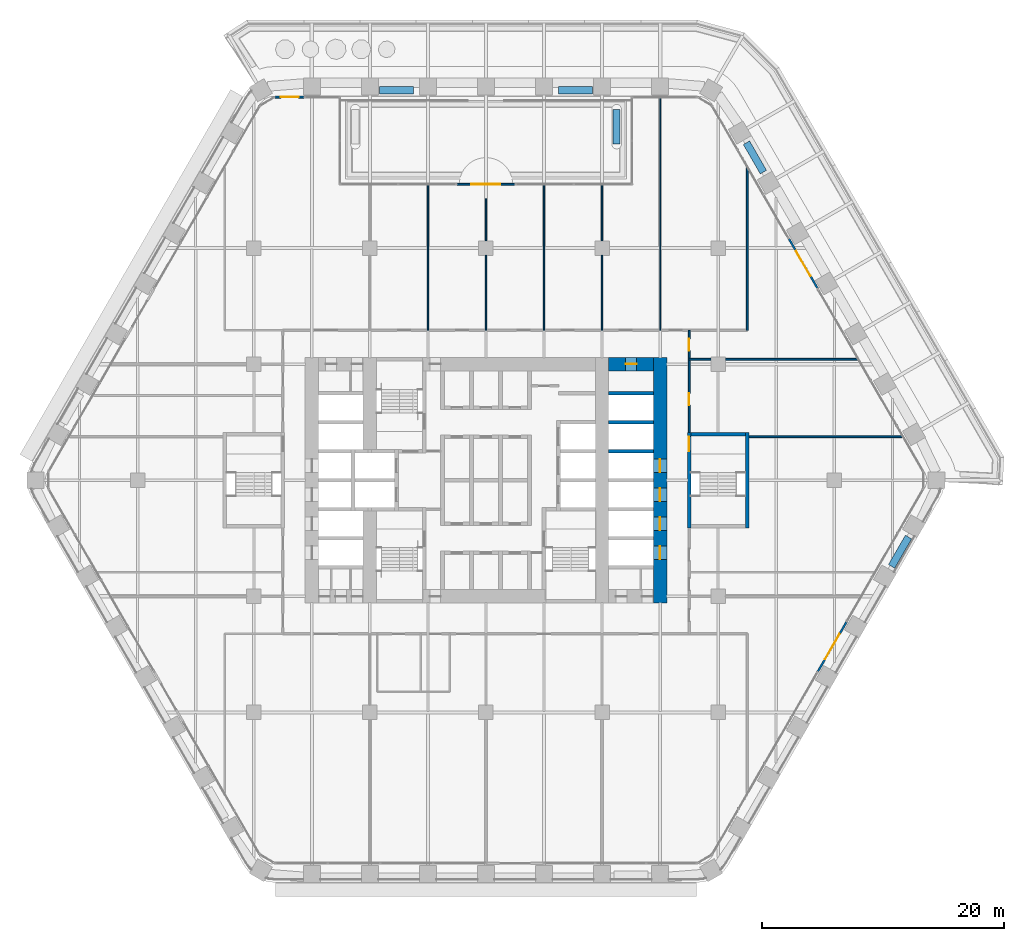
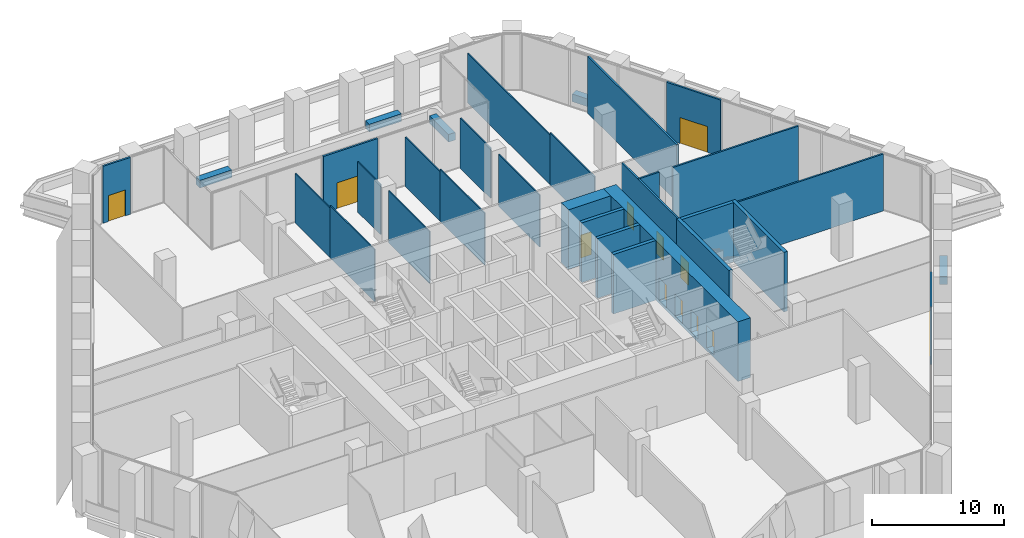
# One storey, part 23 of 30: 32 walls, 12 doors, 12 openings.
"""IFC4 building model written with IfcOpenShell, lengths in metres."""

import ifcopenshell
import ifcopenshell.guid

model = None  # the IFC model being written
_history = None  # IfcOwnerHistory: only IFC2X3 demands one
_inside = {}  # id of a spatial element -> (the spatial element, [elements in it])
_under = {}  # id of a project, library or spatial element -> (it, [spatial elements below it])
_declared = {}  # id of a project -> (the project, [libraries it declares])
_typed = {}  # id of a type object -> (the type object, [elements of that type])
_made_of = {}  # id of a material, layer set ... -> (it, [elements and type objects made of it])


def new_model(schema):
    """Start an empty IFC model of exactly this schema.

    Asked for "IFC4X3", IfcOpenShell would pick the latest addendum, in which some entities
    have other attributes; the version numbers below select the first issue.
    IFC2X3 requires an IfcOwnerHistory on every rooted entity: one is made here for all.
    """
    global model, _history
    if schema == "IFC4X3":
        model = ifcopenshell.file(schema_version=(4, 3, 0, 0))
    else:
        model = ifcopenshell.file(schema=schema)
    _inside.clear()
    _under.clear()
    _declared.clear()
    _typed.clear()
    _made_of.clear()
    _history = None
    if model.schema == "IFC2X3":
        org = make("IfcOrganization", Name="unknown")
        user = make(
            "IfcPersonAndOrganization",
            ThePerson=make("IfcPerson", FamilyName="unknown"),
            TheOrganization=org,
        )
        app = make(
            "IfcApplication",
            ApplicationDeveloper=org,
            Version="unknown",
            ApplicationFullName="unknown",
            ApplicationIdentifier="unknown",
        )
        _history = make(
            "IfcOwnerHistory",
            OwningUser=user,
            OwningApplication=app,
            ChangeAction="ADDED",
            CreationDate=0,
        )
    return model


def make(cls, **values):
    """One entity of the class cls with the attributes given. An attribute that is None is left unset."""
    return model.create_entity(
        cls, **{name: value for name, value in values.items() if value is not None}
    )


def rooted(cls, **values):
    """An entity with a GlobalId (a new one), such as an element, a storey or a relation."""
    return make(cls, GlobalId=ifcopenshell.guid.new(), OwnerHistory=_history, **values)


def si_unit(unit_type, name, prefix=None):
    """IfcSIUnit, for example si_unit("LENGTHUNIT", "METRE", prefix="MILLI")."""
    return make("IfcSIUnit", UnitType=unit_type, Prefix=prefix, Name=name)


def assignment(units):
    """IfcUnitAssignment: the units of a project."""
    return None if units is None else make("IfcUnitAssignment", Units=units)


def point(xyz):
    """IfcCartesianPoint."""
    return None if xyz is None else make("IfcCartesianPoint", Coordinates=xyz)


def direction(xyz):
    """IfcDirection."""
    return None if xyz is None else make("IfcDirection", DirectionRatios=xyz)


def frame(location, z_axis=None, x_axis=None):
    """IfcAxis2Placement3D, a coordinate frame: its origin and axes. An axis left out is left unset."""
    return make(
        "IfcAxis2Placement3D",
        Location=point(location),
        Axis=direction(z_axis),
        RefDirection=direction(x_axis),
    )


def frame_2d(location, x_axis=None):
    """IfcAxis2Placement2D, a coordinate frame in the plane: its origin and x axis."""
    return make(
        "IfcAxis2Placement2D", Location=point(location), RefDirection=direction(x_axis)
    )


def origin():
    """The frame at (0, 0, 0) with its axes left unset."""
    return frame((0.0, 0.0, 0.0))


def place(relative_to, where):
    """IfcLocalPlacement: puts the frame where relative to a parent placement (None: the world)."""
    return make(
        "IfcLocalPlacement", PlacementRelTo=relative_to, RelativePlacement=where
    )


def context(
    kind, dimensions, precision=None, world=None, true_north=None, identifier=None
):
    """IfcGeometricRepresentationContext, for example the 3D "Model" context."""
    return make(
        "IfcGeometricRepresentationContext",
        ContextIdentifier=identifier,
        ContextType=kind,
        CoordinateSpaceDimension=dimensions,
        Precision=precision,
        WorldCoordinateSystem=world,
        TrueNorth=true_north,
    )


def subcontext(parent, identifier, kind, view, scale=None):
    """IfcGeometricRepresentationSubContext, for example "Body" below "Model"."""
    return make(
        "IfcGeometricRepresentationSubContext",
        ContextIdentifier=identifier,
        ContextType=kind,
        ParentContext=parent,
        TargetScale=scale,
        TargetView=view,
    )


def project(units=None, contexts=None):
    """IfcProject with its units and contexts."""
    return rooted(
        "IfcProject",
        Name="project",
        RepresentationContexts=contexts,
        UnitsInContext=assignment(units),
    )


def spatial(cls, under=None, at=None, **own):
    """A site, building, storey or space (cls), placed at a placement, below another one or the project."""
    s = rooted(cls, ObjectPlacement=at, **own)
    if under is not None:
        _under.setdefault(under.id(), (under, []))[1].append(s)
    return s


def profile(cls, at=None, kind="AREA", **sizes):
    """A parametric profile (cls). Its sizes go by their IFC names, for example OverallWidth=200.0."""
    return make(cls, ProfileType=kind, Position=at, **sizes)


def rectangle(**sizes):
    """IfcRectangleProfileDef."""
    return profile("IfcRectangleProfileDef", **sizes)


def extrude(swept, where, along, depth):
    """IfcExtrudedAreaSolid: the profile swept, set in the frame where, extruded along a direction by depth."""
    return make(
        "IfcExtrudedAreaSolid",
        SweptArea=swept,
        Position=where,
        ExtrudedDirection=direction(along),
        Depth=depth,
    )


def shape(context_of_items, identifier, shape_type, items):
    """IfcShapeRepresentation: the items that make up one representation, for example the "Body"."""
    return make(
        "IfcShapeRepresentation",
        ContextOfItems=context_of_items,
        RepresentationIdentifier=identifier,
        RepresentationType=shape_type,
        Items=items,
    )


def material(Name=None, Category=None):
    """IfcMaterial."""
    return make("IfcMaterial", Name=Name, Category=Category)


def layer(
    of_material, thickness, ventilated=None, Name=None, Category=None, Priority=None
):
    """IfcMaterialLayer: one layer of a wall or slab, of a material (None: an air gap)."""
    return make(
        "IfcMaterialLayer",
        Material=of_material,
        LayerThickness=thickness,
        IsVentilated=ventilated,
        Name=Name,
        Category=Category,
        Priority=Priority,
    )


def layer_set(layers, Name=None):
    """IfcMaterialLayerSet."""
    return make("IfcMaterialLayerSet", MaterialLayers=layers, LayerSetName=Name)


def made_of(thing, what):
    """Note that an element or type object is made of a material, layer set ...; save() writes the relation."""
    if what is not None:
        _made_of.setdefault(what.id(), (what, []))[1].append(thing)
    return thing


def type_object(cls, material=None, **own):
    """A type object (cls), such as IfcWallType, which elements share."""
    return made_of(rooted(cls, **own), material)


def element(
    cls,
    number,
    at=None,
    inside=None,
    cuts=None,
    type_object=None,
    material=None,
    context=None,
    identifier="Body",
    shape_type=None,
    held_by="IfcProductDefinitionShape",
    body=None,
    shapes=None,
    **own,
):
    """One element of the class cls, such as IfcWall. Its Tag is "e" and its number.

    at: its placement. inside: the storey or other place that contains it. cuts: it is an
    opening in that element (IfcRelVoidsElement). A single representation is given by context,
    identifier, shape_type and body (its items); several are given by shapes. held_by: the class
    of the entity that holds the representations. save() writes the other relations.
    """
    e = rooted(cls, Tag="e%d" % number, ObjectPlacement=at, **own)
    if body is not None:
        shapes = [shape(context, identifier, shape_type, body)]
    if shapes is not None:
        e.Representation = make(held_by, Representations=shapes)
    if inside is not None:
        _inside.setdefault(inside.id(), (inside, []))[1].append(e)
    if cuts is not None:
        rooted(
            "IfcRelVoidsElement", RelatingBuildingElement=cuts, RelatedOpeningElement=e
        )
    if type_object is not None:
        _typed.setdefault(type_object.id(), (type_object, []))[1].append(e)
    return made_of(e, material)


def fill(opening, filler):
    """IfcRelFillsElement: the door or window that sits in an opening."""
    return rooted(
        "IfcRelFillsElement",
        RelatingOpeningElement=opening,
        RelatedBuildingElement=filler,
    )


def aggregate(whole, parts):
    """IfcRelAggregates: a whole, such as a stair, and the parts it consists of."""
    return rooted("IfcRelAggregates", RelatingObject=whole, RelatedObjects=parts)


def save(model, path):
    """Write the relations noted so far, then the file.

    IfcRelAggregates (storeys below a building ...), IfcRelContainedInSpatialStructure (elements
    in a storey), IfcRelDefinesByType, IfcRelAssociatesMaterial and IfcRelDeclares: one each for
    every whole, place, type object, material and project.
    """
    for whole, parts in _under.values():
        aggregate(whole, parts)
    for where, things in _inside.values():
        rooted(
            "IfcRelContainedInSpatialStructure",
            RelatedElements=things,
            RelatingStructure=where,
        )
    for kind, things in _typed.values():
        rooted("IfcRelDefinesByType", RelatedObjects=things, RelatingType=kind)
    for what, things in _made_of.values():
        rooted("IfcRelAssociatesMaterial", RelatedObjects=things, RelatingMaterial=what)
    for by, libraries in _declared.values():
        rooted("IfcRelDeclares", RelatingContext=by, RelatedDefinitions=libraries)
    model.write(path)


model = new_model("IFC4")

# Units and contexts
model_context = context("Model", 3, precision=1e-05, world=origin(), true_north=direction((0.0, 1.0)))
body_context = subcontext(model_context, "Body", "Model", "MODEL_VIEW")
ifc_project = project(units=[si_unit("LENGTHUNIT", "METRE"), si_unit("AREAUNIT", "SQUARE_METRE"), si_unit("VOLUMEUNIT", "CUBIC_METRE"), si_unit("PLANEANGLEUNIT", "RADIAN"), si_unit("MASSUNIT", "GRAM", prefix="KILO")], contexts=[model_context])

# Site, building, storey
site_placement = place(None, origin())
site = spatial("IfcSite", under=ifc_project, at=site_placement, CompositionType="ELEMENT")
building_placement = place(site_placement, origin())
building = spatial("IfcBuilding", under=site, at=building_placement, Name="Kolab Exchange Tower", CompositionType="ELEMENT")
storey_placement = place(building_placement, frame((0.0, 0.0, 38.89990234375)))
storey = spatial("IfcBuildingStorey", under=building, at=storey_placement, Name="L07", CompositionType="ELEMENT", Elevation=38.89990234375)

# Wall, opening, door
ifc_material_1 = material(Name="Concrete C80/95", Category="concrete")
ifc_layer_1 = layer(ifc_material_1, 1.10009765625)
ifc_layer_set_1 = layer_set([ifc_layer_1], Name="Concrete C80/95")
wall_type_1 = type_object("IfcWallType", Name="CORE WALL 1100 C80/95", PredefinedType="SHEAR", material=ifc_layer_set_1)
wall_1_placement = place(storey_placement, frame((10.14990234375, 9.60009765625, -0.25), z_axis=(0.0, 0.0, 1.0), x_axis=(1.0, 0.0, 0.0)))
wall_1 = element("IfcWall", 1, at=wall_1_placement, inside=storey, type_object=wall_type_1, Name="wall/L07/core/053", PredefinedType="SHEAR", context=body_context, shape_type="SweptSolid", body=[
    extrude(rectangle(XDim=3.7001953125, YDim=1.10009765625, at=frame_2d((1.85009765625, 0.0))), origin(), (0.0, 0.0, 1.0), 5.5),
])
opening_1_placement = place(wall_1_placement, frame((1.39990234375, 0.0, 0.25)))
opening_1 = element("IfcOpeningElement", 2, at=opening_1_placement, cuts=wall_1, Name="Opening D6-114", PredefinedType="OPENING", context=body_context, shape_type="SweptSolid", body=[
    extrude(rectangle(XDim=0.89990234375, YDim=2.10009765625, at=frame_2d((0.449951171875, 1.050048828125))), frame((0.0, 0.56005859375, 0.0), z_axis=(0.0, -1.0, 0.0), x_axis=(1.0, 0.0, 0.0)), (0.0, 0.0, 1.0), 1.1201171875),
])
ifc_material_2 = material(Name="Steel S235", Category="steel")
door_type_1 = type_object("IfcDoorType", Name="CORE DOOR 900 EI 120", OperationType="SINGLE_SWING_LEFT", PredefinedType="DOOR", material=ifc_material_2)
door_1_placement = place(opening_1_placement, frame((0.89990234375, 0.0, 0.0), z_axis=(0.0, 0.0, 1.0), x_axis=(-1.0, 0.0, 0.0)))
door_1 = element("IfcDoor", 3, at=door_1_placement, inside=storey, type_object=door_type_1, Name="Service room door", OperationType="SINGLE_SWING_LEFT", OverallHeight=2.10009765625, OverallWidth=0.89990234375, PredefinedType="DOOR", context=body_context, shape_type="SweptSolid", body=[
    extrude(rectangle(XDim=0.89990234375, YDim=2.10009765625, at=frame_2d((0.449951171875, 1.050048828125))), frame((0.0, 0.02490234375, 0.0), z_axis=(0.0, -1.0, 0.0), x_axis=(1.0, 0.0, 0.0)), (0.0, 0.0, 1.0), 0.050048828125),
])
fill(opening_1, door_1)

# Wall, openings, doors
wall_2_placement = place(storey_placement, frame((14.39990234375, -10.14990234375, -0.25), z_axis=(0.0, 0.0, 1.0), x_axis=(0.0, 1.0, 0.0)))
wall_2 = element("IfcWall", 4, at=wall_2_placement, inside=storey, type_object=wall_type_1, Name="wall/L07/core/081", PredefinedType="SHEAR", context=body_context, shape_type="SweptSolid", body=[
    extrude(rectangle(XDim=20.2998046875, YDim=1.10009765625, at=frame_2d((10.14990234375, 0.0))), origin(), (0.0, 0.0, 1.0), 5.5),
])
opening_2_placement = place(wall_2_placement, frame((3.60009765625, 0.0, 0.25)))
opening_2 = element("IfcOpeningElement", 5, at=opening_2_placement, cuts=wall_2, Name="Opening LD1-037", PredefinedType="OPENING", context=body_context, shape_type="SweptSolid", body=[
    extrude(rectangle(XDim=1.10009765625, YDim=2.10009765625, at=frame_2d((0.550048828125, 1.050048828125))), frame((0.0, 0.56005859375, 0.0), z_axis=(0.0, -1.0, 0.0), x_axis=(1.0, 0.0, 0.0)), (0.0, 0.0, 1.0), 1.1201171875),
])
opening_3_placement = place(wall_2_placement, frame((6.0, 0.0, 0.25)))
opening_3 = element("IfcOpeningElement", 6, at=opening_3_placement, cuts=wall_2, Name="Opening LD1-038", PredefinedType="OPENING", context=body_context, shape_type="SweptSolid", body=[
    extrude(rectangle(XDim=1.10009765625, YDim=2.10009765625, at=frame_2d((0.550048828125, 1.050048828125))), frame((0.0, 0.56005859375, 0.0), z_axis=(0.0, -1.0, 0.0), x_axis=(1.0, 0.0, 0.0)), (0.0, 0.0, 1.0), 1.1201171875),
])
opening_4_placement = place(wall_2_placement, frame((8.39990234375, 0.0, 0.25)))
opening_4 = element("IfcOpeningElement", 7, at=opening_4_placement, cuts=wall_2, Name="Opening LD1-039", PredefinedType="OPENING", context=body_context, shape_type="SweptSolid", body=[
    extrude(rectangle(XDim=1.10009765625, YDim=2.10009765625, at=frame_2d((0.550048828125, 1.050048828125))), frame((0.0, 0.56005859375, 0.0), z_axis=(0.0, -1.0, 0.0), x_axis=(1.0, 0.0, 0.0)), (0.0, 0.0, 1.0), 1.1201171875),
])
opening_5_placement = place(wall_2_placement, frame((10.800048828125, 0.0, 0.25)))
opening_5 = element("IfcOpeningElement", 8, at=opening_5_placement, cuts=wall_2, Name="Opening LD1-040", PredefinedType="OPENING", context=body_context, shape_type="SweptSolid", body=[
    extrude(rectangle(XDim=1.10009765625, YDim=2.10009765625, at=frame_2d((0.550048828125, 1.050048828125))), frame((0.0, 0.56005859375, 0.0), z_axis=(0.0, -1.0, 0.0), x_axis=(1.0, 0.0, 0.0)), (0.0, 0.0, 1.0), 1.1201171875),
])
ifc_material_3 = material(Name="Stainless steel 316", Category="steel")
door_type_2 = type_object("IfcDoorType", Name="LANDING DOOR 1100 PASSENGER", OperationType="DOUBLE_DOOR_SLIDING", PredefinedType="DOOR", material=ifc_material_3)
door_2_placement = place(opening_2_placement, origin())
door_2 = element("IfcDoor", 9, at=door_2_placement, inside=storey, type_object=door_type_2, Name="Landing door LR1", OperationType="DOUBLE_DOOR_SLIDING", OverallHeight=2.10009765625, OverallWidth=1.10009765625, PredefinedType="DOOR", context=body_context, shape_type="SweptSolid", body=[
    extrude(rectangle(XDim=1.10009765625, YDim=2.10009765625, at=frame_2d((0.550048828125, 1.050048828125))), frame((0.0, 0.02490234375, 0.0), z_axis=(0.0, -1.0, 0.0), x_axis=(1.0, 0.0, 0.0)), (0.0, 0.0, 1.0), 0.050048828125),
])
fill(opening_2, door_2)
door_3_placement = place(opening_3_placement, origin())
door_3 = element("IfcDoor", 10, at=door_3_placement, inside=storey, type_object=door_type_2, Name="Landing door LR2", OperationType="DOUBLE_DOOR_SLIDING", OverallHeight=2.10009765625, OverallWidth=1.10009765625, PredefinedType="DOOR", context=body_context, shape_type="SweptSolid", body=[
    extrude(rectangle(XDim=1.10009765625, YDim=2.10009765625, at=frame_2d((0.550048828125, 1.050048828125))), frame((0.0, 0.02490234375, 0.0), z_axis=(0.0, -1.0, 0.0), x_axis=(1.0, 0.0, 0.0)), (0.0, 0.0, 1.0), 0.050048828125),
])
fill(opening_3, door_3)
door_4_placement = place(opening_4_placement, origin())
door_4 = element("IfcDoor", 11, at=door_4_placement, inside=storey, type_object=door_type_2, Name="Landing door LR3", OperationType="DOUBLE_DOOR_SLIDING", OverallHeight=2.10009765625, OverallWidth=1.10009765625, PredefinedType="DOOR", context=body_context, shape_type="SweptSolid", body=[
    extrude(rectangle(XDim=1.10009765625, YDim=2.10009765625, at=frame_2d((0.550048828125, 1.050048828125))), frame((0.0, 0.02490234375, 0.0), z_axis=(0.0, -1.0, 0.0), x_axis=(1.0, 0.0, 0.0)), (0.0, 0.0, 1.0), 0.050048828125),
])
fill(opening_4, door_4)
door_5_placement = place(opening_5_placement, origin())
door_5 = element("IfcDoor", 12, at=door_5_placement, inside=storey, type_object=door_type_2, Name="Landing door LR4", OperationType="DOUBLE_DOOR_SLIDING", OverallHeight=2.10009765625, OverallWidth=1.10009765625, PredefinedType="DOOR", context=body_context, shape_type="SweptSolid", body=[
    extrude(rectangle(XDim=1.10009765625, YDim=2.10009765625, at=frame_2d((0.550048828125, 1.050048828125))), frame((0.0, 0.02490234375, 0.0), z_axis=(0.0, -1.0, 0.0), x_axis=(1.0, 0.0, 0.0)), (0.0, 0.0, 1.0), 0.050048828125),
])
fill(opening_5, door_5)

# Wall, opening, door
ifc_material_4 = material(Name="Aluminium EN AW-6063 T6", Category="aluminium")
ifc_layer_2 = layer(ifc_material_4, 0.159912109375)
ifc_layer_set_2 = layer_set([ifc_layer_2], Name="Aluminium EN AW-6063 T6")
wall_type_2 = type_object("IfcWallType", Name="DOOR SURROUND WALL 160 ALUMINIUM FRAMED", PredefinedType="PARTITIONING", material=ifc_layer_set_2)
wall_3_placement = place(storey_placement, frame((-17.43798828125, 31.67529296875, 0.0), z_axis=(0.0, 0.0, 1.0), x_axis=(1.0, 0.0, 0.0)))
wall_3 = element("IfcWall", 13, at=wall_3_placement, inside=storey, type_object=wall_type_2, Name="Door surround wall", PredefinedType="PARTITIONING", context=body_context, shape_type="SweptSolid", body=[
    extrude(rectangle(XDim=2.400146484375, YDim=0.159912109375, at=frame_2d((1.2001953125, 0.0))), origin(), (0.0, 0.0, 1.0), 5.25),
])
opening_6_placement = place(wall_3_placement, frame((0.449951171875, 0.0, 0.0)))
opening_6 = element("IfcOpeningElement", 14, at=opening_6_placement, cuts=wall_3, Name="Opening GD2-001", PredefinedType="OPENING", context=body_context, shape_type="SweptSolid", body=[
    extrude(rectangle(XDim=1.5, YDim=2.39990234375, at=frame_2d((0.75, 1.199951171875))), frame((0.0, 0.08984375, 0.0), z_axis=(0.0, -1.0, 0.0), x_axis=(1.0, 0.0, 0.0)), (0.0, 0.0, 1.0), 0.179931640625),
])
door_type_3 = type_object("IfcDoorType", Name="LOGGIA SLIDING GLASS DOOR 1500 X 2400", OperationType="SLIDING_TO_LEFT", PredefinedType="DOOR", material=ifc_material_4)
door_6_placement = place(opening_6_placement, origin())
door_6 = element("IfcDoor", 15, at=door_6_placement, inside=storey, type_object=door_type_3, Name="Loggia door", OperationType="DOUBLE_DOOR_SLIDING", OverallHeight=2.39990234375, OverallWidth=1.5, PredefinedType="DOOR", context=body_context, shape_type="SweptSolid", body=[
    extrude(rectangle(XDim=1.5, YDim=2.39990234375, at=frame_2d((0.75, 1.199951171875))), frame((0.0, 0.02490234375, 0.0), z_axis=(0.0, -1.0, 0.0), x_axis=(1.0, 0.0, 0.0)), (0.0, 0.0, 1.0), 0.050048828125),
])
fill(opening_6, door_6)

wall_4_placement = place(storey_placement, frame((-2.385986328125, 24.475341796875, 0.0), z_axis=(0.0, 0.0, 1.0), x_axis=(1.0, 0.0, 0.0)))
wall_4 = element("IfcWall", 16, at=wall_4_placement, inside=storey, type_object=wall_type_2, Name="Door surround wall", PredefinedType="PARTITIONING", context=body_context, shape_type="SweptSolid", body=[
    extrude(rectangle(XDim=4.77197265625, YDim=0.159912109375, at=frame_2d((2.385986328125, 0.0))), origin(), (0.0, 0.0, 1.0), 5.25),
])
opening_7_placement = place(wall_4_placement, frame((1.18603515625, 0.0, 0.0)))
opening_7 = element("IfcOpeningElement", 17, at=opening_7_placement, cuts=wall_4, Name="Opening GD1-029", PredefinedType="OPENING", context=body_context, shape_type="SweptSolid", body=[
    extrude(rectangle(XDim=2.39990234375, YDim=2.39990234375, at=frame_2d((1.199951171875, 1.199951171875))), frame((0.0, 0.08984375, 0.0), z_axis=(0.0, -1.0, 0.0), x_axis=(1.0, 0.0, 0.0)), (0.0, 0.0, 1.0), 0.179931640625),
])
door_type_4 = type_object("IfcDoorType", Name="LOGGIA SLIDING GLASS DOOR 2400 X 2400", OperationType="DOUBLE_DOOR_SINGLE_SWING", PredefinedType="DOOR", material=ifc_material_4)
door_7_placement = place(opening_7_placement, origin())
door_7 = element("IfcDoor", 18, at=door_7_placement, inside=storey, type_object=door_type_4, Name="Loggia door", OperationType="DOUBLE_DOOR_SLIDING", OverallHeight=2.39990234375, OverallWidth=2.39990234375, PredefinedType="DOOR", context=body_context, shape_type="SweptSolid", body=[
    extrude(rectangle(XDim=2.39990234375, YDim=2.39990234375, at=frame_2d((1.199951171875, 1.199951171875))), frame((0.0, 0.02490234375, 0.0), z_axis=(0.0, -1.0, 0.0), x_axis=(1.0, 0.0, 0.0)), (0.0, 0.0, 1.0), 0.050048828125),
])
fill(opening_7, door_7)

wall_5_placement = place(storey_placement, frame((25.046630859375, 19.96875, 0.0), z_axis=(0.0, 0.0, 1.0), x_axis=(0.5000167099, -0.866015756104, 0.0)))
wall_5 = element("IfcWall", 19, at=wall_5_placement, inside=storey, type_object=wall_type_2, Name="Door surround wall", PredefinedType="PARTITIONING", context=body_context, shape_type="SweptSolid", body=[
    extrude(rectangle(XDim=4.739990234375, YDim=0.159912109375, at=frame_2d((2.3701171875, 0.0))), origin(), (0.0, 0.0, 1.0), 5.25),
])
opening_8_placement = place(wall_5_placement, frame((1.169921875, 0.0, 0.0)))
opening_8 = element("IfcOpeningElement", 20, at=opening_8_placement, cuts=wall_5, Name="Opening GD1-018", PredefinedType="OPENING", context=body_context, shape_type="SweptSolid", body=[
    extrude(rectangle(XDim=2.39990234375, YDim=2.39990234375, at=frame_2d((1.199951171875, 1.199951171875))), frame((0.0, 0.08984375, 0.0), z_axis=(0.0, -1.0, 0.0), x_axis=(1.0, 0.0, 0.0)), (0.0, 0.0, 1.0), 0.179931640625),
])
door_8_placement = place(opening_8_placement, origin())
door_8 = element("IfcDoor", 21, at=door_8_placement, inside=storey, type_object=door_type_4, Name="Loggia door", OperationType="DOUBLE_DOOR_SLIDING", OverallHeight=2.39990234375, OverallWidth=2.39990234375, PredefinedType="DOOR", context=body_context, shape_type="SweptSolid", body=[
    extrude(rectangle(XDim=2.39990234375, YDim=2.39990234375, at=frame_2d((1.199951171875, 1.199951171875))), frame((0.0, 0.02490234375, 0.0), z_axis=(0.0, -1.0, 0.0), x_axis=(1.0, 0.0, 0.0)), (0.0, 0.0, 1.0), 0.050048828125),
])
fill(opening_8, door_8)

wall_6_placement = place(storey_placement, frame((29.816650390625, -11.706787109375, 0.0), z_axis=(0.0, 0.0, 1.0), x_axis=(-0.499978080042, -0.866038058908, 0.0)))
wall_6 = element("IfcWall", 22, at=wall_6_placement, inside=storey, type_object=wall_type_2, Name="Door surround wall", PredefinedType="PARTITIONING", context=body_context, shape_type="SweptSolid", body=[
    extrude(rectangle(XDim=4.739990234375, YDim=0.159912109375, at=frame_2d((2.3701171875, 0.0))), origin(), (0.0, 0.0, 1.0), 5.25),
])
opening_9_placement = place(wall_6_placement, frame((1.169921875, 0.0, 0.0)))
opening_9 = element("IfcOpeningElement", 23, at=opening_9_placement, cuts=wall_6, Name="Opening GD1-019", PredefinedType="OPENING", context=body_context, shape_type="SweptSolid", body=[
    extrude(rectangle(XDim=2.39990234375, YDim=2.39990234375, at=frame_2d((1.199951171875, 1.199951171875))), frame((0.0, 0.08984375, 0.0), z_axis=(0.0, -1.0, 0.0), x_axis=(1.0, 0.0, 0.0)), (0.0, 0.0, 1.0), 0.179931640625),
])
door_9_placement = place(opening_9_placement, origin())
door_9 = element("IfcDoor", 24, at=door_9_placement, inside=storey, type_object=door_type_4, Name="Loggia door", OperationType="DOUBLE_DOOR_SLIDING", OverallHeight=2.39990234375, OverallWidth=2.39990234375, PredefinedType="DOOR", context=body_context, shape_type="SweptSolid", body=[
    extrude(rectangle(XDim=2.39990234375, YDim=2.39990234375, at=frame_2d((1.199951171875, 1.199951171875))), frame((0.0, 0.02490234375, 0.0), z_axis=(0.0, -1.0, 0.0), x_axis=(1.0, 0.0, 0.0)), (0.0, 0.0, 1.0), 0.050048828125),
])
fill(opening_9, door_9)

# Walls
ifc_material_5 = material(Name="Concrete C50/60", Category="concrete")
ifc_layer_3 = layer(ifc_material_5, 0.300048828125)
ifc_layer_set_3 = layer_set([ifc_layer_3], Name="Concrete C50/60")
wall_type_3 = type_object("IfcWallType", Name="LIFT SHAFT WALL 300 C50/60", PredefinedType="STANDARD", material=ifc_layer_set_3)
for number, where, z_axis, x_axis, name in (
    (25, (10.14990234375, 2.39990234375, -0.25), (0.0, 0.0, 1.0), (1.0, 0.0, 0.0), "wall/L07/core/036"),
    (26, (10.14990234375, 4.800048828125, -0.25), (0.0, 0.0, 1.0), (1.0, 0.0, 0.0), "wall/L07/core/044"),
    (27, (10.14990234375, 7.199951171875, -0.25), (0.0, 0.0, 1.0), (1.0, 0.0, 0.0), "wall/L07/core/050"),
):
    element("IfcWall", number, at=place(storey_placement, frame(where, z_axis=z_axis, x_axis=x_axis)), inside=storey, type_object=wall_type_3, Name=name, PredefinedType="STANDARD", context=body_context, shape_type="SweptSolid", body=[
        extrude(rectangle(XDim=3.7001953125, YDim=0.300048828125, at=frame_2d((1.85009765625, 0.0))), origin(), (0.0, 0.0, 1.0), 5.5),
    ])
ifc_material_6 = material(Name="Gypsum board", Category="gypsum")
ifc_layer_4 = layer(ifc_material_6, 0.10009765625)
ifc_layer_set_4 = layer_set([ifc_layer_4], Name="Gypsum board")
wall_type_4 = type_object("IfcWallType", Name="PARTITION 100", PredefinedType="PARTITIONING", material=ifc_layer_set_4)
wall_7_placement = place(storey_placement, frame((14.39990234375, 19.113037109375, 0.0), z_axis=(0.0, 0.0, 1.0), x_axis=(0.0, 1.0, 0.0)))
element("IfcWall", 28, at=wall_7_placement, inside=storey, type_object=wall_type_4, Name="Partition 004", PredefinedType="PARTITIONING", context=body_context, shape_type="SweptSolid", body=[
    extrude(rectangle(XDim=12.472412109375, YDim=0.10009765625, at=frame_2d((6.236328125, 0.0))), origin(), (0.0, 0.0, 1.0), 4.566162109375),
])
wall_8_placement = place(storey_placement, frame((14.39990234375, 12.39990234375, 0.0), z_axis=(0.0, 0.0, 1.0), x_axis=(0.0, 1.0, 0.0)))
element("IfcWall", 29, at=wall_8_placement, inside=storey, type_object=wall_type_4, Name="Partition 004", PredefinedType="PARTITIONING", context=body_context, shape_type="SweptSolid", body=[
    extrude(rectangle(XDim=6.713134765625, YDim=0.10009765625, at=frame_2d((3.3564453125, 0.0))), origin(), (0.0, 0.0, 1.0), 4.793212890625),
])
wall_9_placement = place(storey_placement, frame((9.60009765625, 12.39990234375, 0.0), z_axis=(0.0, 0.0, 1.0), x_axis=(0.0, 1.0, 0.0)))
element("IfcWall", 30, at=wall_9_placement, inside=storey, type_object=wall_type_4, Name="Partition 006", PredefinedType="PARTITIONING", context=body_context, shape_type="SweptSolid", body=[
    extrude(rectangle(XDim=6.2001953125, YDim=0.10009765625, at=frame_2d((3.10009765625, 0.0))), origin(), (0.0, 0.0, 1.0), 4.793212890625),
])
wall_10_placement = place(storey_placement, frame((9.60009765625, 19.800048828125, 0.0), z_axis=(0.0, 0.0, 1.0), x_axis=(0.0, 1.0, 0.0)))
element("IfcWall", 31, at=wall_10_placement, inside=storey, type_object=wall_type_4, Name="Partition 007", PredefinedType="PARTITIONING", context=body_context, shape_type="SweptSolid", body=[
    extrude(rectangle(XDim=4.58544921875, YDim=0.10009765625, at=frame_2d((2.292724609375, 0.0))), origin(), (0.0, 0.0, 1.0), 4.64208984375),
])
wall_11_placement = place(storey_placement, frame((4.800048828125, 12.39990234375, 0.0), z_axis=(0.0, 0.0, 1.0), x_axis=(0.0, 1.0, 0.0)))
element("IfcWall", 32, at=wall_11_placement, inside=storey, type_object=wall_type_4, Name="Partition 010", PredefinedType="PARTITIONING", context=body_context, shape_type="SweptSolid", body=[
    extrude(rectangle(XDim=6.713134765625, YDim=0.10009765625, at=frame_2d((3.3564453125, 0.0))), origin(), (0.0, 0.0, 1.0), 4.793212890625),
])
wall_12_placement = place(storey_placement, frame((4.800048828125, 19.113037109375, 0.0), z_axis=(0.0, 0.0, 1.0), x_axis=(0.0, 1.0, 0.0)))
element("IfcWall", 33, at=wall_12_placement, inside=storey, type_object=wall_type_4, Name="Partition 010", PredefinedType="PARTITIONING", context=body_context, shape_type="SweptSolid", body=[
    extrude(rectangle(XDim=5.2724609375, YDim=0.10009765625, at=frame_2d((2.63623046875, 0.0))), origin(), (0.0, 0.0, 1.0), 4.566162109375),
])
wall_13_placement = place(storey_placement, frame((0.0, 12.39990234375, 0.0), z_axis=(0.0, 0.0, 1.0), x_axis=(0.0, 1.0, 0.0)))
element("IfcWall", 34, at=wall_13_placement, inside=storey, type_object=wall_type_4, Name="Partition 011", PredefinedType="PARTITIONING", context=body_context, shape_type="SweptSolid", body=[
    extrude(rectangle(XDim=6.2001953125, YDim=0.10009765625, at=frame_2d((3.10009765625, 0.0))), origin(), (0.0, 0.0, 1.0), 4.793212890625),
])
wall_14_placement = place(storey_placement, frame((0.0, 19.800048828125, 0.0), z_axis=(0.0, 0.0, 1.0), x_axis=(0.0, 1.0, 0.0)))
element("IfcWall", 35, at=wall_14_placement, inside=storey, type_object=wall_type_4, Name="Partition 012", PredefinedType="PARTITIONING", context=body_context, shape_type="SweptSolid", body=[
    extrude(rectangle(XDim=3.475341796875, YDim=0.10009765625, at=frame_2d((1.73779296875, 0.0))), origin(), (0.0, 0.0, 1.0), 4.64208984375),
])
wall_15_placement = place(storey_placement, frame((-4.800048828125, 12.39990234375, 0.0), z_axis=(0.0, 0.0, 1.0), x_axis=(0.0, 1.0, 0.0)))
element("IfcWall", 36, at=wall_15_placement, inside=storey, type_object=wall_type_4, Name="Partition 016", PredefinedType="PARTITIONING", context=body_context, shape_type="SweptSolid", body=[
    extrude(rectangle(XDim=6.713134765625, YDim=0.10009765625, at=frame_2d((3.3564453125, 0.0))), origin(), (0.0, 0.0, 1.0), 4.793212890625),
])
wall_16_placement = place(storey_placement, frame((-4.800048828125, 19.113037109375, 0.0), z_axis=(0.0, 0.0, 1.0), x_axis=(0.0, 1.0, 0.0)))
element("IfcWall", 37, at=wall_16_placement, inside=storey, type_object=wall_type_4, Name="Partition 016", PredefinedType="PARTITIONING", context=body_context, shape_type="SweptSolid", body=[
    extrude(rectangle(XDim=5.2724609375, YDim=0.10009765625, at=frame_2d((2.63623046875, 0.0))), origin(), (0.0, 0.0, 1.0), 4.566162109375),
])
ifc_layer_5 = layer(ifc_material_6, 0.14990234375)
ifc_layer_set_5 = layer_set([ifc_layer_5], Name="Gypsum board")
wall_type_5 = type_object("IfcWallType", Name="PARTITION 150 FIRE-RATED", PredefinedType="PARTITIONING", material=ifc_layer_set_5)
wall_17_placement = place(storey_placement, frame((21.60009765625, 12.39990234375, 0.0), z_axis=(0.0, 0.0, 1.0), x_axis=(0.0, 1.0, 0.0)))
element("IfcWall", 38, at=wall_17_placement, inside=storey, type_object=wall_type_5, Name="Partition 001", PredefinedType="PARTITIONING", context=body_context, shape_type="SweptSolid", body=[
    extrude(rectangle(XDim=13.45849609375, YDim=0.14990234375, at=frame_2d((6.729248046875, 0.0))), origin(), (0.0, 0.0, 1.0), 5.25),
])

# Wall, openings, doors
wall_18_placement = place(storey_placement, frame((16.800048828125, 3.949951171875, 0.0), z_axis=(0.0, 0.0, 1.0), x_axis=(0.0, 1.0, 0.0)))
wall_18 = element("IfcWall", 39, at=wall_18_placement, inside=storey, type_object=wall_type_5, Name="Partition 003", PredefinedType="PARTITIONING", context=body_context, shape_type="SweptSolid", body=[
    extrude(rectangle(XDim=8.449951171875, YDim=0.14990234375, at=frame_2d((4.22509765625, 0.0))), origin(), (0.0, 0.0, 1.0), 5.25),
])
opening_10_placement = place(wall_18_placement, frame((2.25, 0.0, 0.0)))
opening_10 = element("IfcOpeningElement", 40, at=opening_10_placement, cuts=wall_18, Name="Opening D1-101", PredefinedType="OPENING", context=body_context, shape_type="SweptSolid", body=[
    extrude(rectangle(XDim=1.0, YDim=2.10009765625, at=frame_2d((0.5, 1.050048828125))), frame((0.0, 0.0849609375, 0.0), z_axis=(0.0, -1.0, 0.0), x_axis=(1.0, 0.0, 0.0)), (0.0, 0.0, 1.0), 0.169921875),
])
opening_11_placement = place(wall_18_placement, frame((6.75, 0.0, 0.0)))
opening_11 = element("IfcOpeningElement", 41, at=opening_11_placement, cuts=wall_18, Name="Opening D1-102", PredefinedType="OPENING", context=body_context, shape_type="SweptSolid", body=[
    extrude(rectangle(XDim=1.0, YDim=2.10009765625, at=frame_2d((0.5, 1.050048828125))), frame((0.0, 0.0849609375, 0.0), z_axis=(0.0, -1.0, 0.0), x_axis=(1.0, 0.0, 0.0)), (0.0, 0.0, 1.0), 0.169921875),
])
door_type_5 = type_object("IfcDoorType", Name="FLUSH DOOR 1000 FD60", OperationType="SINGLE_SWING_LEFT", PredefinedType="DOOR", material=ifc_material_2)
door_10_placement = place(opening_10_placement, frame((1.0, 0.0, 0.0), z_axis=(0.0, 0.0, 1.0), x_axis=(-1.0, 0.0, 0.0)))
door_10 = element("IfcDoor", 42, at=door_10_placement, inside=storey, type_object=door_type_5, Name="Door L07-063", OperationType="SINGLE_SWING_LEFT", OverallHeight=2.10009765625, OverallWidth=1.0, PredefinedType="DOOR", context=body_context, shape_type="SweptSolid", body=[
    extrude(rectangle(XDim=1.0, YDim=2.10009765625, at=frame_2d((0.5, 1.050048828125))), frame((0.0, 0.02490234375, 0.0), z_axis=(0.0, -1.0, 0.0), x_axis=(1.0, 0.0, 0.0)), (0.0, 0.0, 1.0), 0.050048828125),
])
fill(opening_10, door_10)
door_11_placement = place(opening_11_placement, frame((1.0, 0.0, 0.0), z_axis=(0.0, 0.0, 1.0), x_axis=(-1.0, 0.0, 0.0)))
door_11 = element("IfcDoor", 43, at=door_11_placement, inside=storey, type_object=door_type_5, Name="Door L07-064", OperationType="SINGLE_SWING_LEFT", OverallHeight=2.10009765625, OverallWidth=1.0, PredefinedType="DOOR", context=body_context, shape_type="SweptSolid", body=[
    extrude(rectangle(XDim=1.0, YDim=2.10009765625, at=frame_2d((0.5, 1.050048828125))), frame((0.0, 0.02490234375, 0.0), z_axis=(0.0, -1.0, 0.0), x_axis=(1.0, 0.0, 0.0)), (0.0, 0.0, 1.0), 0.050048828125),
])
fill(opening_11, door_11)

# Walls
wall_19_placement = place(storey_placement, frame((21.75, 3.60009765625, 0.0), z_axis=(0.0, 0.0, 1.0), x_axis=(1.0, 0.0, 0.0)))
element("IfcWall", 44, at=wall_19_placement, inside=storey, type_object=wall_type_5, Name="Partition 041", PredefinedType="PARTITIONING", context=body_context, shape_type="SweptSolid", body=[
    extrude(rectangle(XDim=12.700927734375, YDim=0.14990234375, at=frame_2d((6.3505859375, 0.0))), origin(), (0.0, 0.0, 1.0), 5.25),
])
wall_20_placement = place(storey_placement, frame((16.800048828125, 10.0, 0.0), z_axis=(0.0, 0.0, 1.0), x_axis=(1.0, 0.0, 0.0)))
element("IfcWall", 45, at=wall_20_placement, inside=storey, type_object=wall_type_5, Name="Partition 046", PredefinedType="PARTITIONING", context=body_context, shape_type="SweptSolid", body=[
    extrude(rectangle(XDim=1.800048828125, YDim=0.14990234375, at=frame_2d((0.89990234375, 0.0))), origin(), (0.0, 0.0, 1.0), 5.25),
])
wall_21_placement = place(storey_placement, frame((19.800048828125, 10.0, 0.0), z_axis=(0.0, 0.0, 1.0), x_axis=(1.0, 0.0, 0.0)))
element("IfcWall", 46, at=wall_21_placement, inside=storey, type_object=wall_type_5, Name="Partition 047", PredefinedType="PARTITIONING", context=body_context, shape_type="SweptSolid", body=[
    extrude(rectangle(XDim=10.955810546875, YDim=0.14990234375, at=frame_2d((5.47802734375, 0.0))), origin(), (0.0, 0.0, 1.0), 5.25),
])
ifc_material_7 = material(Name="Granite facing", Category="masonry")
ifc_layer_6 = layer(ifc_material_7, 0.0400390625)
ifc_material_8 = material(Name="Concrete C40/50 precast", Category="concrete")
ifc_layer_7 = layer(ifc_material_8, 0.56005859375)
ifc_layer_set_6 = layer_set([ifc_layer_6, ifc_layer_7], Name="Concrete C40/50 precast")
wall_type_6 = type_object("IfcWallType", Name="PLANTER BOX 600 X 700 SOIL DEPTH 550", PredefinedType="USERDEFINED", material=ifc_layer_set_6)
for number, where, z_axis, x_axis, name in (
    (47, (21.537109375, 27.907470703125, 0.0), (0.0, 0.0, 1.0), (0.49998411664, -0.866034573852, 0.0), "Planter"),
    (48, (34.93701171875, -4.697998046875, 0.0), (0.0, 0.0, 1.0), (-0.49998411664, -0.866034573852, 0.0), "Planter"),
):
    element("IfcWall", number, at=place(storey_placement, frame(where, z_axis=z_axis, x_axis=x_axis)), inside=storey, type_object=wall_type_6, Name=name, ObjectType="PLANTER", PredefinedType="USERDEFINED", context=body_context, shape_type="SweptSolid", body=[
        extrude(rectangle(XDim=2.7998046875, YDim=0.60009765625, at=frame_2d((1.39990234375, 0.0))), origin(), (0.0, 0.0, 1.0), 0.7001953125),
    ])
wall_22_placement = place(storey_placement, frame((10.800048828125, 27.79541015625, 0.0), z_axis=(0.0, 0.0, 1.0), x_axis=(0.0, 1.0, 0.0)))
element("IfcWall", 49, at=wall_22_placement, inside=storey, type_object=wall_type_6, Name="Planter", ObjectType="PLANTER", PredefinedType="USERDEFINED", context=body_context, shape_type="SweptSolid", body=[
    extrude(rectangle(XDim=2.8798828125, YDim=0.60009765625, at=frame_2d((1.43994140625, 0.0))), origin(), (0.0, 0.0, 1.0), 0.7001953125),
])
for number, where, z_axis, x_axis, name in (
    (50, (-6.0, 32.25537109375, 0.0), (0.0, 0.0, 1.0), (-1.0, 0.0, 0.0), "Planter"),
    (51, (6.0, 32.25537109375, 0.0), (0.0, 0.0, 1.0), (1.0, 0.0, 0.0), "Planter"),
):
    element("IfcWall", number, at=place(storey_placement, frame(where, z_axis=z_axis, x_axis=x_axis)), inside=storey, type_object=wall_type_6, Name=name, ObjectType="PLANTER", PredefinedType="USERDEFINED", context=body_context, shape_type="SweptSolid", body=[
        extrude(rectangle(XDim=2.800048828125, YDim=0.60009765625, at=frame_2d((1.39990234375, 0.0))), origin(), (0.0, 0.0, 1.0), 0.7001953125),
    ])
ifc_layer_8 = layer(ifc_material_5, 0.300048828125)
ifc_layer_set_7 = layer_set([ifc_layer_8], Name="Concrete C50/60")
wall_type_7 = type_object("IfcWallType", Name="STAIR ENCLOSURE WALL 300 C50/60", PredefinedType="STANDARD", material=ifc_layer_set_7)
wall_23_placement = place(storey_placement, frame((16.949951171875, 3.800048828125, -0.25), z_axis=(0.0, 0.0, 1.0), x_axis=(1.0, 0.0, 0.0)))
element("IfcWall", 52, at=wall_23_placement, inside=storey, type_object=wall_type_7, Name="wall/L07/core/041", PredefinedType="STANDARD", context=body_context, shape_type="SweptSolid", body=[
    extrude(rectangle(XDim=4.5, YDim=0.300048828125, at=frame_2d((2.25, 0.0))), origin(), (0.0, 0.0, 1.0), 5.5),
])

# Wall, opening, door
wall_24_placement = place(storey_placement, frame((16.800048828125, -3.949951171875, -0.25), z_axis=(0.0, 0.0, 1.0), x_axis=(0.0, 1.0, 0.0)))
wall_24 = element("IfcWall", 53, at=wall_24_placement, inside=storey, type_object=wall_type_7, Name="wall/L07/core/082", PredefinedType="STANDARD", context=body_context, shape_type="SweptSolid", body=[
    extrude(rectangle(XDim=7.89990234375, YDim=0.300048828125, at=frame_2d((3.949951171875, 0.0))), origin(), (0.0, 0.0, 1.0), 5.5),
])
opening_12_placement = place(wall_24_placement, frame((6.35009765625, 0.0, 0.25)))
opening_12 = element("IfcOpeningElement", 54, at=opening_12_placement, cuts=wall_24, Name="Opening D4-023", PredefinedType="OPENING", context=body_context, shape_type="SweptSolid", body=[
    extrude(rectangle(XDim=1.199951171875, YDim=2.10009765625, at=frame_2d((0.60009765625, 1.050048828125))), frame((0.0, 0.16015625, 0.0), z_axis=(0.0, -1.0, 0.0), x_axis=(1.0, 0.0, 0.0)), (0.0, 0.0, 1.0), 0.320068359375),
])
door_type_6 = type_object("IfcDoorType", Name="STAIR DOOR 1200 EI 120", OperationType="SINGLE_SWING_LEFT", PredefinedType="DOOR", material=ifc_material_2)
door_12_placement = place(opening_12_placement, frame((1.199951171875, 0.0, 0.0), z_axis=(0.0, 0.0, 1.0), x_axis=(-1.0, 0.0, 0.0)))
door_12 = element("IfcDoor", 55, at=door_12_placement, inside=storey, type_object=door_type_6, Name="Stair 4 door", OperationType="SINGLE_SWING_RIGHT", OverallHeight=2.10009765625, OverallWidth=1.199951171875, PredefinedType="DOOR", context=body_context, shape_type="SweptSolid", body=[
    extrude(rectangle(XDim=1.199951171875, YDim=2.10009765625, at=frame_2d((0.60009765625, 1.050048828125))), frame((0.0, 0.02490234375, 0.0), z_axis=(0.0, -1.0, 0.0), x_axis=(1.0, 0.0, 0.0)), (0.0, 0.0, 1.0), 0.050048828125),
])
fill(opening_12, door_12)

# Wall
wall_25_placement = place(storey_placement, frame((21.60009765625, -3.949951171875, -0.25), z_axis=(0.0, 0.0, 1.0), x_axis=(0.0, 1.0, 0.0)))
element("IfcWall", 56, at=wall_25_placement, inside=storey, type_object=wall_type_7, Name="wall/L07/core/083", PredefinedType="STANDARD", context=body_context, shape_type="SweptSolid", body=[
    extrude(rectangle(XDim=7.89990234375, YDim=0.300048828125, at=frame_2d((3.949951171875, 0.0))), origin(), (0.0, 0.0, 1.0), 5.5),
])

save(model, "model.ifc")
